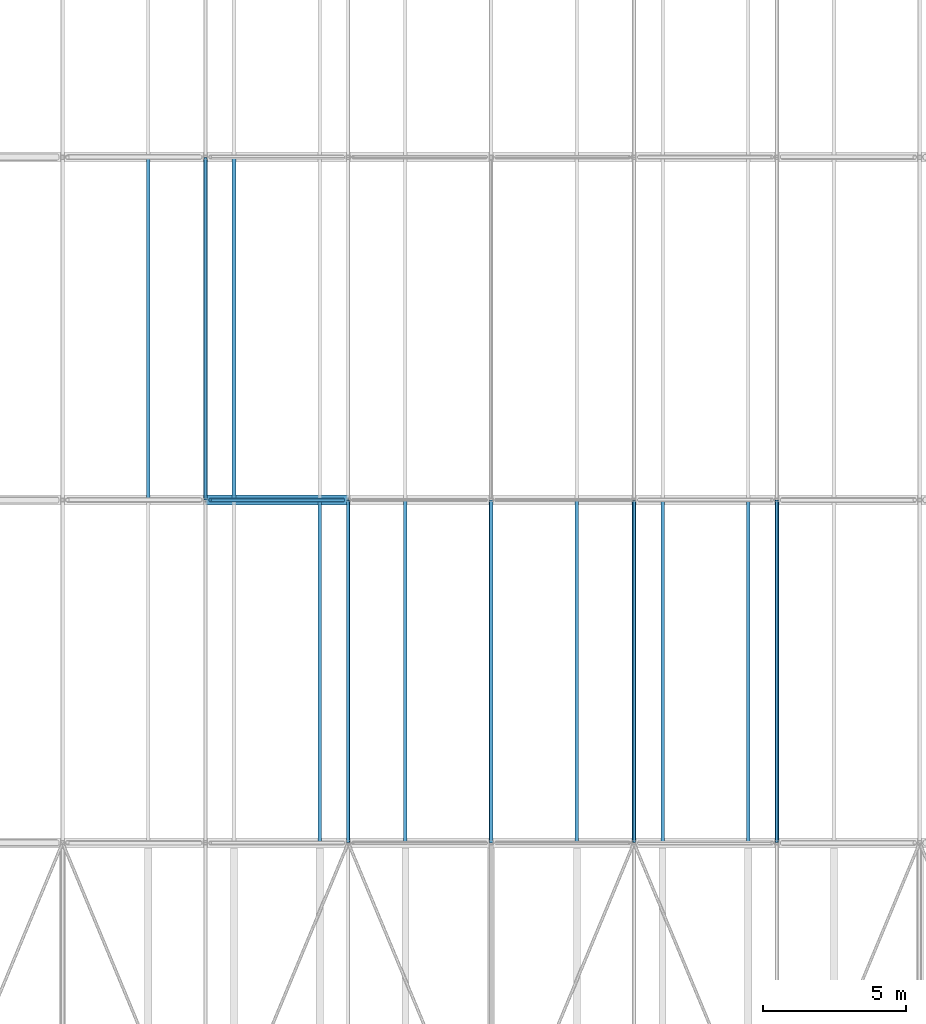
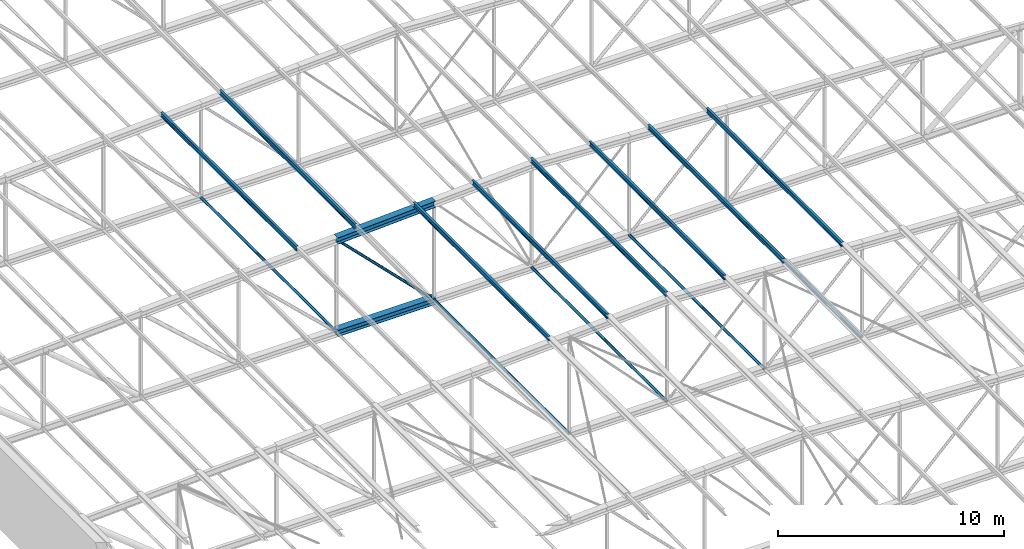
# One storey, part 56 of 156: 16 members.
"""IFC4 building model written with IfcOpenShell, lengths in metres."""

from ifc_helpers import new_model, si_unit, direction, frame, origin, origin_2d, place, context, subcontext, project, spatial, hollow_circle, i_section, extrude, material, material_profile, profile_set, type_object, element, save


model = new_model("IFC4")

# Units and contexts
model_context = context("Model", 3, precision=1e-05, world=origin(), true_north=direction((0.0, 1.0)))
body_context = subcontext(model_context, "Body", "Model", "MODEL_VIEW")
ifc_project = project(units=[si_unit("LENGTHUNIT", "METRE"), si_unit("AREAUNIT", "SQUARE_METRE"), si_unit("VOLUMEUNIT", "CUBIC_METRE"), si_unit("PLANEANGLEUNIT", "RADIAN"), si_unit("MASSUNIT", "GRAM", prefix="KILO")], contexts=[model_context])

# Site, building, storey
site_placement = place(None, origin())
site = spatial("IfcSite", under=ifc_project, at=site_placement, CompositionType="ELEMENT")
building_placement = place(site_placement, origin())
building = spatial("IfcBuilding", under=site, at=building_placement, Name="Lilac Gate Convention Centre", CompositionType="ELEMENT")
storey_placement = place(building_placement, frame((0.0, 0.0, 17.0)))
storey = spatial("IfcBuildingStorey", under=building, at=storey_placement, Name="L03", CompositionType="ELEMENT", Elevation=17.0)

# Members
ifc_material = material(Name="Steel Q355B", Category="steel")
ifc_material_profile_1 = material_profile(ifc_material, hollow_circle(Radius=0.06982421875, WallThickness=0.0048828125, at=origin_2d()), Name="CHS139.7x5")
ifc_profile_set_1 = profile_set([ifc_material_profile_1], Name="Steel Q355B")
member_type_1 = type_object("IfcMemberType", Name="Bottom chord tie CHS139.7x5", PredefinedType="STRUT", material=ifc_profile_set_1)
for number, where, z_axis, x_axis, name in (
    (1, (55.0, 90.009521484375, 0.0), (0.0, 1.0, 0.0), (-1.0, 0.0, 0.0), "ST1 tie bay 6 node 6"),
    (2, (60.0, 90.009521484375, 0.0), (0.0, 1.0, 0.0), (-1.0, 0.0, 0.0), "ST1 tie bay 6 node 7"),
    (3, (65.0, 90.009521484375, 0.0), (0.0, 1.0, 0.0), (-1.0, 0.0, 0.0), "ST1 tie bay 6 node 8"),
):
    element("IfcMember", number, at=place(storey_placement, frame(where, z_axis=z_axis, x_axis=x_axis)), inside=storey, type_object=member_type_1, Name=name, PredefinedType="STRUT", context=body_context, shape_type="SweptSolid", body=[
        extrude(hollow_circle(Radius=0.06982421875, WallThickness=0.0048828125, at=origin_2d()), origin(), (0.0, 0.0, 1.0), 11.98095703125),
    ])
for number, where, z_axis, x_axis, name in (
    (4, (70.0, 90.006103515625, 0.0), (0.0, 1.0, 0.0), (-1.0, 0.0, 0.0), "ST1 tie bay 6 node 9"),
    (5, (50.0, 102.006103515625, 0.0), (0.0, 1.0, 0.0), (-1.0, 0.0, 0.0), "ST1 tie bay 7 node 5"),
):
    element("IfcMember", number, at=place(storey_placement, frame(where, z_axis=z_axis, x_axis=x_axis)), inside=storey, type_object=member_type_1, Name=name, PredefinedType="STRUT", context=body_context, shape_type="SweptSolid", body=[
        extrude(hollow_circle(Radius=0.06982421875, WallThickness=0.0048828125, at=origin_2d()), origin(), (0.0, 0.0, 1.0), 11.98779296875),
    ])
ifc_material_profile_2 = material_profile(ifc_material, i_section(OverallWidth=0.125, OverallDepth=0.25, WebThickness=0.006103515625, FlangeThickness=0.009033203125, FilletRadius=0.008056640625, at=origin_2d()), Name="HN250x125x6x9")
ifc_profile_set_2 = profile_set([ifc_material_profile_2], Name="Steel Q355B")
member_type_2 = type_object("IfcMemberType", Name="Roof purlin HN250x125x6x9", PredefinedType="PURLIN", material=ifc_profile_set_2)
for number, where, z_axis, x_axis, name in (
    (6, (54.0, 90.0, 5.500244140625), (0.0, 1.0, 0.0), (-1.0, 0.0, 0.0), "PU2 purlin bay 6 line 9"),
    (7, (57.0, 90.0, 5.650146484375), (0.0, 1.0, 0.0), (-1.0, 0.0, 0.0), "PU2 purlin bay 6 line 10"),
    (8, (60.0, 90.0, 5.80029296875), (0.0, 1.0, 0.0), (-1.0, 0.0, 0.0), "PU2 purlin bay 6 line 11"),
    (9, (63.0, 90.0, 5.650146484375), (0.0, 1.0, 0.0), (-1.0, 0.0, 0.0), "PU2 purlin bay 6 line 12"),
    (10, (66.0, 90.0, 5.500244140625), (0.0, 1.0, 0.0), (-1.0, 0.0, 0.0), "PU2 purlin bay 6 line 13"),
    (11, (69.0, 90.0, 5.35009765625), (0.0, 1.0, 0.0), (-1.0, 0.0, 0.0), "PU2 purlin bay 6 line 14"),
    (12, (48.0, 102.0, 5.2001953125), (0.0, 1.0, 0.0), (-1.0, 0.0, 0.0), "PU2 purlin bay 7 line 7"),
    (13, (51.0, 102.0, 5.35009765625), (0.0, 1.0, 0.0), (-1.0, 0.0, 0.0), "PU2 purlin bay 7 line 8"),
):
    element("IfcMember", number, at=place(storey_placement, frame(where, z_axis=z_axis, x_axis=x_axis)), inside=storey, type_object=member_type_2, Name=name, PredefinedType="PURLIN", context=body_context, shape_type="SweptSolid", body=[
        extrude(i_section(OverallWidth=0.125, OverallDepth=0.25, WebThickness=0.006103515625, FlangeThickness=0.009033203125, FilletRadius=0.008056640625, at=origin_2d()), origin(), (0.0, 0.0, 1.0), 12.0),
    ])
ifc_material_profile_3 = material_profile(ifc_material, i_section(OverallWidth=0.35693359375, OverallDepth=0.35009765625, WebThickness=0.01904296875, FlangeThickness=0.01904296875, FilletRadius=0.012939453125, at=origin_2d()), Name="HW350x357x19x19")
ifc_profile_set_3 = profile_set([ifc_material_profile_3], Name="Steel Q355B")
member_type_3 = type_object("IfcMemberType", Name="Truss bottom chord HW350x357x19x19", PredefinedType="CHORD", material=ifc_profile_set_3)
member_1_placement = place(storey_placement, frame((50.0, 102.0, 0.0), z_axis=(1.0, 0.0, 0.0), x_axis=(0.0, 1.0, 0.0)))
element("IfcMember", 14, at=member_1_placement, inside=storey, type_object=member_type_3, Name="TB3 truss 7 bottom chord 5", PredefinedType="CHORD", context=body_context, shape_type="SweptSolid", body=[
    extrude(i_section(OverallWidth=0.35693359375, OverallDepth=0.35009765625, WebThickness=0.01904296875, FlangeThickness=0.01904296875, FilletRadius=0.012939453125, at=origin_2d()), origin(), (0.0, 0.0, 1.0), 5.0),
])
ifc_material_profile_4 = material_profile(ifc_material, hollow_circle(Radius=0.06982421875, WallThickness=0.006103515625, at=origin_2d()), Name="CHS139.7x6")
ifc_profile_set_4 = profile_set([ifc_material_profile_4], Name="Steel Q355B")
member_type_4 = type_object("IfcMemberType", Name="Truss diagonal CHS139.7x6", PredefinedType="BRACE", material=ifc_profile_set_4)
member_2_placement = place(storey_placement, frame((50.164306640625, 102.0, 4.835693359375), z_axis=(0.707106781187, 0.0, -0.707106781187), x_axis=(0.0, 1.0, 0.0)))
element("IfcMember", 15, at=member_2_placement, inside=storey, type_object=member_type_4, Name="TW5 truss 7 diagonal 5", PredefinedType="BRACE", context=body_context, shape_type="SweptSolid", body=[
    extrude(hollow_circle(Radius=0.06982421875, WallThickness=0.006103515625, at=origin_2d()), origin(), (0.0, 0.0, 1.0), 6.591064453125),
])
ifc_material_profile_5 = material_profile(ifc_material, i_section(OverallWidth=0.35009765625, OverallDepth=0.35009765625, WebThickness=0.011962890625, FlangeThickness=0.01904296875, FilletRadius=0.012939453125, at=origin_2d()), Name="HW350x350x12x19")
ifc_profile_set_5 = profile_set([ifc_material_profile_5], Name="Steel Q355B")
member_type_5 = type_object("IfcMemberType", Name="Truss top chord HW350x350x12x19", PredefinedType="CHORD", material=ifc_profile_set_5)
member_3_placement = place(storey_placement, frame((50.0, 102.0, 5.0), z_axis=(0.998752338878, 0.0, 0.049937616944), x_axis=(0.0, 1.0, 0.0)))
element("IfcMember", 16, at=member_3_placement, inside=storey, type_object=member_type_5, Name="TT2 truss 7 top chord 5", PredefinedType="CHORD", context=body_context, shape_type="SweptSolid", body=[
    extrude(i_section(OverallWidth=0.35009765625, OverallDepth=0.35009765625, WebThickness=0.011962890625, FlangeThickness=0.01904296875, FilletRadius=0.012939453125, at=origin_2d()), origin(), (0.0, 0.0, 1.0), 5.00634765625),
])

save(model, "model.ifc")
